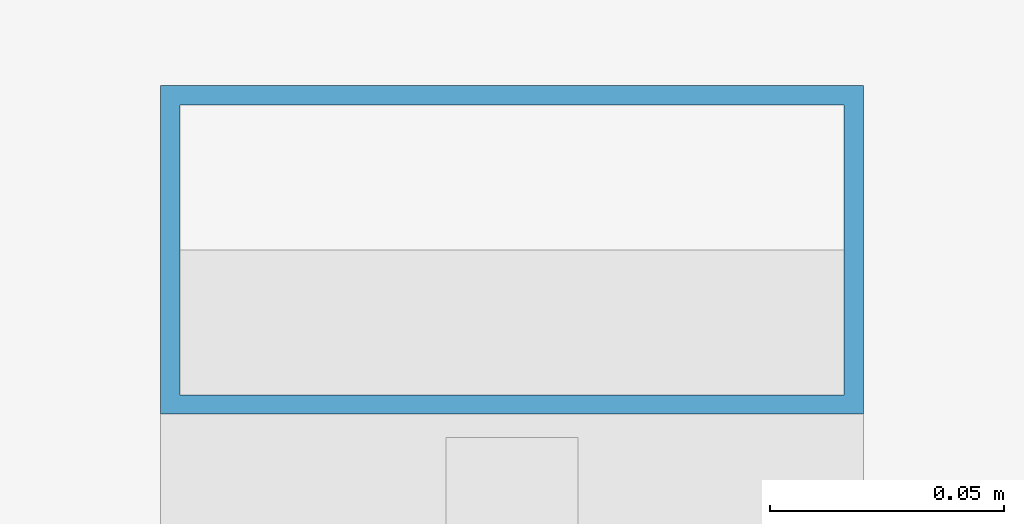
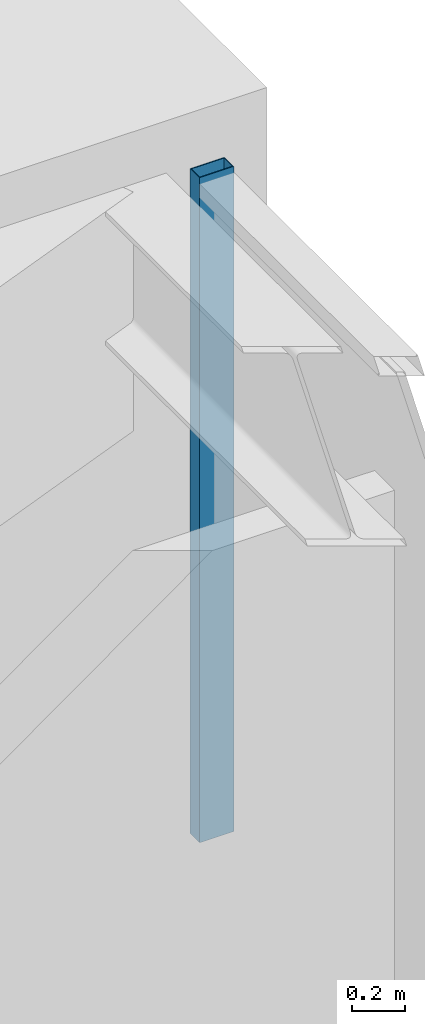
# One storey, part 25 of 39: 1 member, 1 element without a shape of its own.
"""IFC4 building model written with IfcOpenShell, lengths in metres."""

from ifc_helpers import new_model, si_unit, direction, frame, origin, origin_2d, place, context, subcontext, project, spatial, hollow_rectangle, extrude, material, material_profile, profile_set, type_object, element, aggregate, save


model = new_model("IFC4")

# Units and contexts
model_context = context("Model", 3, precision=1e-05, world=origin(), true_north=direction((0.0, 1.0)))
body_context = subcontext(model_context, "Body", "Model", "MODEL_VIEW")
ifc_project = project(units=[si_unit("LENGTHUNIT", "METRE"), si_unit("AREAUNIT", "SQUARE_METRE"), si_unit("VOLUMEUNIT", "CUBIC_METRE"), si_unit("PLANEANGLEUNIT", "RADIAN"), si_unit("MASSUNIT", "GRAM", prefix="KILO")], contexts=[model_context])

# Site, building, storey
site_placement = place(None, origin())
site = spatial("IfcSite", under=ifc_project, at=site_placement, CompositionType="ELEMENT")
building_placement = place(site_placement, origin())
building = spatial("IfcBuilding", under=site, at=building_placement, Name="Kolvaren Belvedere", CompositionType="ELEMENT")
storey_placement = place(building_placement, frame((0.0, 0.0, 33.699951171875)))
storey = spatial("IfcBuildingStorey", under=building, at=storey_placement, Name="L09", CompositionType="ELEMENT", Elevation=33.699951171875)

# Curtain wall, member
ifc_material_1 = material(Name="Anodised pale-metal aluminium AA 6063-T6", Category="aluminium")
curtain_wall_type = type_object("IfcCurtainWallType", Name="CW-Z1-LOW", PredefinedType="NOTDEFINED", material=ifc_material_1)
curtain_wall_placement = place(storey_placement, origin())
curtain_wall = element("IfcCurtainWall", 1, at=curtain_wall_placement, inside=storey, type_object=curtain_wall_type, Name="L09 Unitised Curtain Wall FCW-L09-E1-B1", PredefinedType="NOTDEFINED")
ifc_material_2 = material(Name="Anodised pale-metal aluminium AA 6063-T6", Category="aluminium")
ifc_material_profile = material_profile(ifc_material_2, hollow_rectangle(XDim=0.070068359375, YDim=0.14990234375, WallThickness=0.004150390625, at=origin_2d()), Name="ALU-MUL-150X70")
ifc_profile_set = profile_set([ifc_material_profile], Name="Anodised pale-metal aluminium AA 6063-T6")
member_type = type_object("IfcMemberType", Name="CW-MUL-150", PredefinedType="MULLION", material=ifc_profile_set)
member_placement = place(storey_placement, frame((21.8798828125, 13.7451171875, 0.0), z_axis=(0.0, 0.0, 1.0), x_axis=(0.0, 1.0, 0.0)))
member = element("IfcMember", 2, at=member_placement, type_object=member_type, Name="FCW-L09-E1-B1 Unitised Mullion 1", PredefinedType="MULLION", context=body_context, shape_type="SweptSolid", body=[
    extrude(hollow_rectangle(XDim=0.070068359375, YDim=0.14990234375, WallThickness=0.004150390625, at=origin_2d()), origin(), (0.0, 0.0, 1.0), 3.06005859375),
])
aggregate(curtain_wall, [member])

save(model, "model.ifc")
